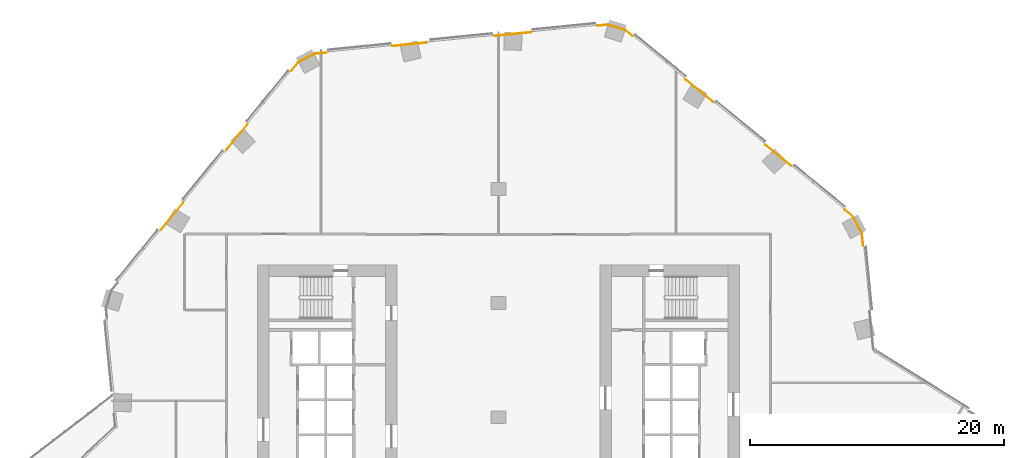
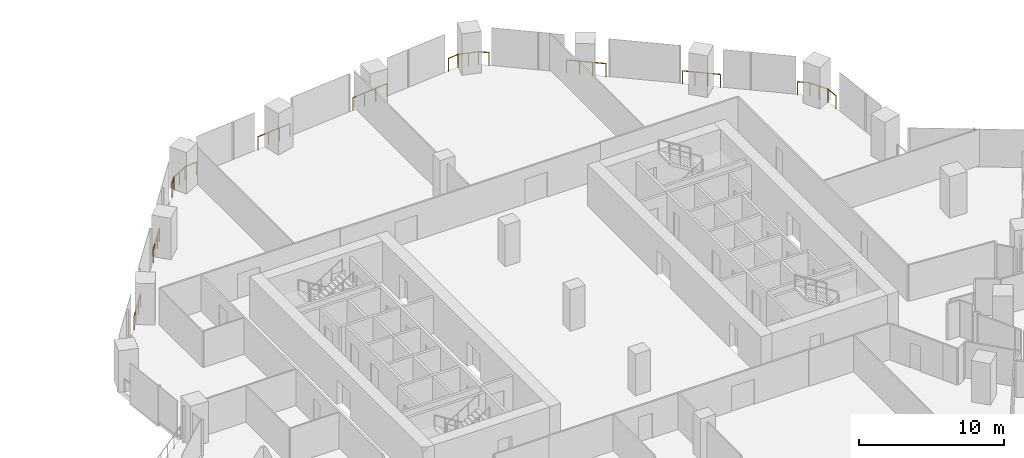
# One storey, part 34 of 34: 9 railings.
"""IFC4 building model written with IfcOpenShell, lengths in metres."""

import ifcopenshell
import ifcopenshell.guid

model = None  # the IFC model being written
_history = None  # IfcOwnerHistory: only IFC2X3 demands one
_inside = {}  # id of a spatial element -> (the spatial element, [elements in it])
_under = {}  # id of a project, library or spatial element -> (it, [spatial elements below it])
_declared = {}  # id of a project -> (the project, [libraries it declares])
_typed = {}  # id of a type object -> (the type object, [elements of that type])
_made_of = {}  # id of a material, layer set ... -> (it, [elements and type objects made of it])


def new_model(schema):
    """Start an empty IFC model of exactly this schema.

    Asked for "IFC4X3", IfcOpenShell would pick the latest addendum, in which some entities
    have other attributes; the version numbers below select the first issue.
    IFC2X3 requires an IfcOwnerHistory on every rooted entity: one is made here for all.
    """
    global model, _history
    if schema == "IFC4X3":
        model = ifcopenshell.file(schema_version=(4, 3, 0, 0))
    else:
        model = ifcopenshell.file(schema=schema)
    _inside.clear()
    _under.clear()
    _declared.clear()
    _typed.clear()
    _made_of.clear()
    _history = None
    if model.schema == "IFC2X3":
        org = make("IfcOrganization", Name="unknown")
        user = make(
            "IfcPersonAndOrganization",
            ThePerson=make("IfcPerson", FamilyName="unknown"),
            TheOrganization=org,
        )
        app = make(
            "IfcApplication",
            ApplicationDeveloper=org,
            Version="unknown",
            ApplicationFullName="unknown",
            ApplicationIdentifier="unknown",
        )
        _history = make(
            "IfcOwnerHistory",
            OwningUser=user,
            OwningApplication=app,
            ChangeAction="ADDED",
            CreationDate=0,
        )
    return model


def make(cls, **values):
    """One entity of the class cls with the attributes given. An attribute that is None is left unset."""
    return model.create_entity(
        cls, **{name: value for name, value in values.items() if value is not None}
    )


def rooted(cls, **values):
    """An entity with a GlobalId (a new one), such as an element, a storey or a relation."""
    return make(cls, GlobalId=ifcopenshell.guid.new(), OwnerHistory=_history, **values)


def si_unit(unit_type, name, prefix=None):
    """IfcSIUnit, for example si_unit("LENGTHUNIT", "METRE", prefix="MILLI")."""
    return make("IfcSIUnit", UnitType=unit_type, Prefix=prefix, Name=name)


def assignment(units):
    """IfcUnitAssignment: the units of a project."""
    return None if units is None else make("IfcUnitAssignment", Units=units)


def point(xyz):
    """IfcCartesianPoint."""
    return None if xyz is None else make("IfcCartesianPoint", Coordinates=xyz)


def direction(xyz):
    """IfcDirection."""
    return None if xyz is None else make("IfcDirection", DirectionRatios=xyz)


def frame(location, z_axis=None, x_axis=None):
    """IfcAxis2Placement3D, a coordinate frame: its origin and axes. An axis left out is left unset."""
    return make(
        "IfcAxis2Placement3D",
        Location=point(location),
        Axis=direction(z_axis),
        RefDirection=direction(x_axis),
    )


def frame_2d(location, x_axis=None):
    """IfcAxis2Placement2D, a coordinate frame in the plane: its origin and x axis."""
    return make(
        "IfcAxis2Placement2D", Location=point(location), RefDirection=direction(x_axis)
    )


def origin():
    """The frame at (0, 0, 0) with its axes left unset."""
    return frame((0.0, 0.0, 0.0))


def origin_2d():
    """The frame at (0, 0) in the plane with its x axis left unset."""
    return frame_2d((0.0, 0.0))


def place(relative_to, where):
    """IfcLocalPlacement: puts the frame where relative to a parent placement (None: the world)."""
    return make(
        "IfcLocalPlacement", PlacementRelTo=relative_to, RelativePlacement=where
    )


def context(
    kind, dimensions, precision=None, world=None, true_north=None, identifier=None
):
    """IfcGeometricRepresentationContext, for example the 3D "Model" context."""
    return make(
        "IfcGeometricRepresentationContext",
        ContextIdentifier=identifier,
        ContextType=kind,
        CoordinateSpaceDimension=dimensions,
        Precision=precision,
        WorldCoordinateSystem=world,
        TrueNorth=true_north,
    )


def subcontext(parent, identifier, kind, view, scale=None):
    """IfcGeometricRepresentationSubContext, for example "Body" below "Model"."""
    return make(
        "IfcGeometricRepresentationSubContext",
        ContextIdentifier=identifier,
        ContextType=kind,
        ParentContext=parent,
        TargetScale=scale,
        TargetView=view,
    )


def project(units=None, contexts=None):
    """IfcProject with its units and contexts."""
    return rooted(
        "IfcProject",
        Name="project",
        RepresentationContexts=contexts,
        UnitsInContext=assignment(units),
    )


def spatial(cls, under=None, at=None, **own):
    """A site, building, storey or space (cls), placed at a placement, below another one or the project."""
    s = rooted(cls, ObjectPlacement=at, **own)
    if under is not None:
        _under.setdefault(under.id(), (under, []))[1].append(s)
    return s


def profile(cls, at=None, kind="AREA", **sizes):
    """A parametric profile (cls). Its sizes go by their IFC names, for example OverallWidth=200.0."""
    return make(cls, ProfileType=kind, Position=at, **sizes)


def circle(**sizes):
    """IfcCircleProfileDef."""
    return profile("IfcCircleProfileDef", **sizes)


def extrude(swept, where, along, depth):
    """IfcExtrudedAreaSolid: the profile swept, set in the frame where, extruded along a direction by depth."""
    return make(
        "IfcExtrudedAreaSolid",
        SweptArea=swept,
        Position=where,
        ExtrudedDirection=direction(along),
        Depth=depth,
    )


def shape(context_of_items, identifier, shape_type, items):
    """IfcShapeRepresentation: the items that make up one representation, for example the "Body"."""
    return make(
        "IfcShapeRepresentation",
        ContextOfItems=context_of_items,
        RepresentationIdentifier=identifier,
        RepresentationType=shape_type,
        Items=items,
    )


def material(Name=None, Category=None):
    """IfcMaterial."""
    return make("IfcMaterial", Name=Name, Category=Category)


def made_of(thing, what):
    """Note that an element or type object is made of a material, layer set ...; save() writes the relation."""
    if what is not None:
        _made_of.setdefault(what.id(), (what, []))[1].append(thing)
    return thing


def type_object(cls, material=None, **own):
    """A type object (cls), such as IfcWallType, which elements share."""
    return made_of(rooted(cls, **own), material)


def element(
    cls,
    number,
    at=None,
    inside=None,
    cuts=None,
    type_object=None,
    material=None,
    context=None,
    identifier="Body",
    shape_type=None,
    held_by="IfcProductDefinitionShape",
    body=None,
    shapes=None,
    **own,
):
    """One element of the class cls, such as IfcWall. Its Tag is "e" and its number.

    at: its placement. inside: the storey or other place that contains it. cuts: it is an
    opening in that element (IfcRelVoidsElement). A single representation is given by context,
    identifier, shape_type and body (its items); several are given by shapes. held_by: the class
    of the entity that holds the representations. save() writes the other relations.
    """
    e = rooted(cls, Tag="e%d" % number, ObjectPlacement=at, **own)
    if body is not None:
        shapes = [shape(context, identifier, shape_type, body)]
    if shapes is not None:
        e.Representation = make(held_by, Representations=shapes)
    if inside is not None:
        _inside.setdefault(inside.id(), (inside, []))[1].append(e)
    if cuts is not None:
        rooted(
            "IfcRelVoidsElement", RelatingBuildingElement=cuts, RelatedOpeningElement=e
        )
    if type_object is not None:
        _typed.setdefault(type_object.id(), (type_object, []))[1].append(e)
    return made_of(e, material)


def aggregate(whole, parts):
    """IfcRelAggregates: a whole, such as a stair, and the parts it consists of."""
    return rooted("IfcRelAggregates", RelatingObject=whole, RelatedObjects=parts)


def save(model, path):
    """Write the relations noted so far, then the file.

    IfcRelAggregates (storeys below a building ...), IfcRelContainedInSpatialStructure (elements
    in a storey), IfcRelDefinesByType, IfcRelAssociatesMaterial and IfcRelDeclares: one each for
    every whole, place, type object, material and project.
    """
    for whole, parts in _under.values():
        aggregate(whole, parts)
    for where, things in _inside.values():
        rooted(
            "IfcRelContainedInSpatialStructure",
            RelatedElements=things,
            RelatingStructure=where,
        )
    for kind, things in _typed.values():
        rooted("IfcRelDefinesByType", RelatedObjects=things, RelatingType=kind)
    for what, things in _made_of.values():
        rooted("IfcRelAssociatesMaterial", RelatedObjects=things, RelatingMaterial=what)
    for by, libraries in _declared.values():
        rooted("IfcRelDeclares", RelatingContext=by, RelatedDefinitions=libraries)
    model.write(path)


model = new_model("IFC4")

# Units and contexts
model_context = context("Model", 3, precision=1e-05, world=origin(), true_north=direction((0.0, 1.0)))
body_context = subcontext(model_context, "Body", "Model", "MODEL_VIEW")
ifc_project = project(units=[si_unit("LENGTHUNIT", "METRE"), si_unit("AREAUNIT", "SQUARE_METRE"), si_unit("VOLUMEUNIT", "CUBIC_METRE"), si_unit("PLANEANGLEUNIT", "RADIAN"), si_unit("MASSUNIT", "GRAM", prefix="KILO")], contexts=[model_context])

# Site, building, storey
site_placement = place(None, origin())
site = spatial("IfcSite", under=ifc_project, at=site_placement, CompositionType="ELEMENT")
building_placement = place(site_placement, origin())
building = spatial("IfcBuilding", under=site, at=building_placement, Name="Orlundy Tower", CompositionType="ELEMENT")
storey_placement = place(building_placement, frame((0.0, 0.0, 37.300048828125)))
storey = spatial("IfcBuildingStorey", under=building, at=storey_placement, Name="L07", CompositionType="ELEMENT", Elevation=37.300048828125)

# Railings
ifc_material = material(Name="Stainless steel bronze finish", Category="steel")
railing_type = type_object("IfcRailingType", Name="TG1 terrace guard", PredefinedType="GUARDRAIL", material=ifc_material)
railing_1_placement = place(storey_placement, frame((27.298828125, 16.364013671875, 0.0)))
element("IfcRailing", 1, at=railing_1_placement, inside=storey, type_object=railing_type, Name="Guard TG-L07-E02", PredefinedType="GUARDRAIL", context=body_context, shape_type="SweptSolid", body=[
    extrude(circle(Radius=0.02490234375, at=origin_2d()), frame((0.0, 0.0, 1.09521484375), z_axis=(0.77337421092, -0.633949784986, 0.0), x_axis=(0.633949784986, 0.77337421092, 0.0)), (0.0, 0.0, 1.0), 0.877197265625),
    extrude(circle(Radius=0.02490234375, at=origin_2d()), frame((0.678466796875, -0.55615234375, 1.09521484375), z_axis=(0.471724818132, -0.881745822762, 0.0), x_axis=(0.881745822762, 0.471724818132, 0.0)), (0.0, 0.0, 1.0), 1.4599609375),
    extrude(circle(Radius=0.02490234375, at=origin_2d()), frame((1.3671875, -1.843505859375, 1.09521484375), z_axis=(0.098582392145, -0.995128892134, 0.0), x_axis=(0.995128892134, 0.098582392145, 0.0)), (0.0, 0.0, 1.0), 0.970703125),
    extrude(circle(Radius=0.02001953125, at=origin_2d()), origin(), (0.0, 0.0, 1.0), 1.070068359375),
    extrude(circle(Radius=0.02001953125, at=origin_2d()), frame((0.678466796875, -0.55615234375, 0.0)), (0.0, 0.0, 1.0), 1.070068359375),
    extrude(circle(Radius=0.02001953125, at=origin_2d()), frame((1.02294921875, -1.19970703125, 0.0)), (0.0, 0.0, 1.0), 1.070068359375),
    extrude(circle(Radius=0.02001953125, at=origin_2d()), frame((1.3671875, -1.843505859375, 0.0)), (0.0, 0.0, 1.0), 1.070068359375),
    extrude(circle(Radius=0.02001953125, at=origin_2d()), frame((1.462890625, -2.8095703125, 0.0)), (0.0, 0.0, 1.0), 1.070068359375),
])
railing_2_placement = place(storey_placement, frame((-16.364013671875, 27.298828125, 0.0)))
element("IfcRailing", 2, at=railing_2_placement, inside=storey, type_object=railing_type, Name="Guard TG-L07-E03", PredefinedType="GUARDRAIL", context=body_context, shape_type="SweptSolid", body=[
    extrude(circle(Radius=0.02490234375, at=origin_2d()), frame((0.0, 0.0, 1.09521484375), z_axis=(0.633949784986, 0.77337421092, 0.0), x_axis=(-0.77337421092, 0.633949784986, 0.0)), (0.0, 0.0, 1.0), 0.877197265625),
    extrude(circle(Radius=0.02490234375, at=origin_2d()), frame((0.55615234375, 0.678466796875, 1.09521484375), z_axis=(0.881745822762, 0.471724818132, 0.0), x_axis=(-0.471724818132, 0.881745822762, 0.0)), (0.0, 0.0, 1.0), 1.4599609375),
    extrude(circle(Radius=0.02490234375, at=origin_2d()), frame((1.843505859375, 1.3671875, 1.09521484375), z_axis=(0.995128892134, 0.098582392145, 0.0), x_axis=(-0.098582392145, 0.995128892134, 0.0)), (0.0, 0.0, 1.0), 0.970703125),
    extrude(circle(Radius=0.02001953125, at=origin_2d()), origin(), (0.0, 0.0, 1.0), 1.070068359375),
    extrude(circle(Radius=0.02001953125, at=origin_2d()), frame((0.55615234375, 0.678466796875, 0.0)), (0.0, 0.0, 1.0), 1.070068359375),
    extrude(circle(Radius=0.02001953125, at=origin_2d()), frame((1.19970703125, 1.02294921875, 0.0)), (0.0, 0.0, 1.0), 1.070068359375),
    extrude(circle(Radius=0.02001953125, at=origin_2d()), frame((1.843505859375, 1.3671875, 0.0)), (0.0, 0.0, 1.0), 1.070068359375),
    extrude(circle(Radius=0.02001953125, at=origin_2d()), frame((2.8095703125, 1.462890625, 0.0)), (0.0, 0.0, 1.0), 1.070068359375),
])
railing_3_placement = place(storey_placement, frame((7.78857421875, 30.879638671875, 0.0)))
element("IfcRailing", 3, at=railing_3_placement, inside=storey, type_object=railing_type, Name="Guard TG-L07-E08", PredefinedType="GUARDRAIL", context=body_context, shape_type="SweptSolid", body=[
    extrude(circle(Radius=0.02490234375, at=origin_2d()), frame((0.0, 0.0, 1.09521484375), z_axis=(0.995125294202, 0.098618704306, 0.0), x_axis=(-0.098618704306, 0.995125294202, 0.0)), (0.0, 0.0, 1.0), 0.8193359375),
    extrude(circle(Radius=0.02490234375, at=origin_2d()), frame((0.8154296875, 0.080810546875, 1.09521484375), z_axis=(0.957188801933, -0.289464328467, 0.0), x_axis=(0.289464328467, 0.957188801933, 0.0)), (0.0, 0.0, 1.0), 1.4599609375),
    extrude(circle(Radius=0.02490234375, at=origin_2d()), frame((2.212890625, -0.341796875, 1.09521484375), z_axis=(0.773464761005, -0.633839304148, 0.0), x_axis=(0.633839304148, 0.773464761005, 0.0)), (0.0, 0.0, 1.0), 0.729248046875),
    extrude(circle(Radius=0.02001953125, at=origin_2d()), origin(), (0.0, 0.0, 1.0), 1.070068359375),
    extrude(circle(Radius=0.02001953125, at=origin_2d()), frame((0.8154296875, 0.080810546875, 0.0)), (0.0, 0.0, 1.0), 1.070068359375),
    extrude(circle(Radius=0.02001953125, at=origin_2d()), frame((1.51416015625, -0.13037109375, 0.0)), (0.0, 0.0, 1.0), 1.070068359375),
    extrude(circle(Radius=0.02001953125, at=origin_2d()), frame((2.212890625, -0.341796875, 0.0)), (0.0, 0.0, 1.0), 1.070068359375),
    extrude(circle(Radius=0.02001953125, at=origin_2d()), frame((2.77685546875, -0.803955078125, 0.0)), (0.0, 0.0, 1.0), 1.070068359375),
])
railing_4_placement = place(storey_placement, frame((-0.286376953125, 30.078369140625, 0.0)))
element("IfcRailing", 4, at=railing_4_placement, inside=storey, type_object=railing_type, Name="Guard TG-L07-E011", PredefinedType="GUARDRAIL", context=body_context, shape_type="SweptSolid", body=[
    extrude(circle(Radius=0.02490234375, at=origin_2d()), frame((0.0, 0.0, 1.09521484375), z_axis=(0.995114715922, 0.098725387598, 0.0), x_axis=(-0.098725387598, 0.995114715922, 0.0)), (0.0, 0.0, 1.0), 2.888427734375),
    extrude(circle(Radius=0.02001953125, at=origin_2d()), origin(), (0.0, 0.0, 1.0), 1.070068359375),
    extrude(circle(Radius=0.02001953125, at=origin_2d()), frame((0.9580078125, 0.094970703125, 0.0)), (0.0, 0.0, 1.0), 1.070068359375),
    extrude(circle(Radius=0.02001953125, at=origin_2d()), frame((1.916259765625, 0.190185546875, 0.0)), (0.0, 0.0, 1.0), 1.070068359375),
    extrude(circle(Radius=0.02001953125, at=origin_2d()), frame((2.874267578125, 0.28515625, 0.0)), (0.0, 0.0, 1.0), 1.070068359375),
])
railing_5_placement = place(storey_placement, frame((-26.64111328125, 14.757080078125, 0.0)))
element("IfcRailing", 5, at=railing_5_placement, inside=storey, type_object=railing_type, Name="Guard TG-L07-E014", PredefinedType="GUARDRAIL", context=body_context, shape_type="SweptSolid", body=[
    extrude(circle(Radius=0.02490234375, at=origin_2d()), frame((0.0, 0.0, 1.09521484375), z_axis=(0.633862654625, 0.773445625155, 0.0), x_axis=(-0.773445625155, 0.633862654625, 0.0)), (0.0, 0.0, 1.0), 2.786376953125),
    extrude(circle(Radius=0.02001953125, at=origin_2d()), origin(), (0.0, 0.0, 1.0), 1.070068359375),
    extrude(circle(Radius=0.02001953125, at=origin_2d()), frame((0.588623046875, 0.71826171875, 0.0)), (0.0, 0.0, 1.0), 1.070068359375),
    extrude(circle(Radius=0.02001953125, at=origin_2d()), frame((1.177490234375, 1.436767578125, 0.0)), (0.0, 0.0, 1.0), 1.070068359375),
    extrude(circle(Radius=0.02001953125, at=origin_2d()), frame((1.76611328125, 2.155029296875, 0.0)), (0.0, 0.0, 1.0), 1.070068359375),
])
railing_6_placement = place(storey_placement, frame((14.757080078125, 26.64111328125, 0.0)))
element("IfcRailing", 6, at=railing_6_placement, inside=storey, type_object=railing_type, Name="Guard TG-L07-E015", PredefinedType="GUARDRAIL", context=body_context, shape_type="SweptSolid", body=[
    extrude(circle(Radius=0.02490234375, at=origin_2d()), frame((0.0, 0.0, 1.09521484375), z_axis=(0.773445625155, -0.633862654625, 0.0), x_axis=(0.633862654625, 0.773445625155, 0.0)), (0.0, 0.0, 1.0), 2.786376953125),
    extrude(circle(Radius=0.02001953125, at=origin_2d()), origin(), (0.0, 0.0, 1.0), 1.070068359375),
    extrude(circle(Radius=0.02001953125, at=origin_2d()), frame((0.71826171875, -0.588623046875, 0.0)), (0.0, 0.0, 1.0), 1.070068359375),
    extrude(circle(Radius=0.02001953125, at=origin_2d()), frame((1.436767578125, -1.177490234375, 0.0)), (0.0, 0.0, 1.0), 1.070068359375),
    extrude(circle(Radius=0.02001953125, at=origin_2d()), frame((2.155029296875, -1.76611328125, 0.0)), (0.0, 0.0, 1.0), 1.070068359375),
])
railing_7_placement = place(storey_placement, frame((-8.353515625, 29.27783203125, 0.0)))
element("IfcRailing", 7, at=railing_7_placement, inside=storey, type_object=railing_type, Name="Guard TG-L07-E016", PredefinedType="GUARDRAIL", context=body_context, shape_type="SweptSolid", body=[
    extrude(circle(Radius=0.02490234375, at=origin_2d()), frame((0.0, 0.0, 1.09521484375), z_axis=(0.995110242384, 0.098770468781, 0.0), x_axis=(-0.098770468781, 0.995110242384, 0.0)), (0.0, 0.0, 1.0), 2.736328125),
    extrude(circle(Radius=0.02001953125, at=origin_2d()), origin(), (0.0, 0.0, 1.0), 1.070068359375),
    extrude(circle(Radius=0.02001953125, at=origin_2d()), frame((0.90771484375, 0.090087890625, 0.0)), (0.0, 0.0, 1.0), 1.070068359375),
    extrude(circle(Radius=0.02001953125, at=origin_2d()), frame((1.815185546875, 0.18017578125, 0.0)), (0.0, 0.0, 1.0), 1.070068359375),
    extrude(circle(Radius=0.02001953125, at=origin_2d()), frame((2.722900390625, 0.270263671875, 0.0)), (0.0, 0.0, 1.0), 1.070068359375),
])
railing_8_placement = place(storey_placement, frame((-21.47119140625, 21.066162109375, 0.0)))
element("IfcRailing", 8, at=railing_8_placement, inside=storey, type_object=railing_type, Name="Guard TG-L07-E017", PredefinedType="GUARDRAIL", context=body_context, shape_type="SweptSolid", body=[
    extrude(circle(Radius=0.02490234375, at=origin_2d()), frame((0.0, 0.0, 1.09521484375), z_axis=(0.633836432261, 0.773467114452, 0.0), x_axis=(-0.773467114452, 0.633836432261, 0.0)), (0.0, 0.0, 1.0), 2.641845703125),
    extrude(circle(Radius=0.02001953125, at=origin_2d()), origin(), (0.0, 0.0, 1.0), 1.070068359375),
    extrude(circle(Radius=0.02001953125, at=origin_2d()), frame((0.55810546875, 0.68115234375, 0.0)), (0.0, 0.0, 1.0), 1.070068359375),
    extrude(circle(Radius=0.02001953125, at=origin_2d()), frame((1.116455078125, 1.3623046875, 0.0)), (0.0, 0.0, 1.0), 1.070068359375),
    extrude(circle(Radius=0.02001953125, at=origin_2d()), frame((1.674560546875, 2.04345703125, 0.0)), (0.0, 0.0, 1.0), 1.070068359375),
])
railing_9_placement = place(storey_placement, frame((21.066162109375, 21.47119140625, 0.0)))
element("IfcRailing", 9, at=railing_9_placement, inside=storey, type_object=railing_type, Name="Guard TG-L07-E018", PredefinedType="GUARDRAIL", context=body_context, shape_type="SweptSolid", body=[
    extrude(circle(Radius=0.02490234375, at=origin_2d()), frame((0.0, 0.0, 1.09521484375), z_axis=(0.773467114452, -0.633836432261, 0.0), x_axis=(0.633836432261, 0.773467114452, 0.0)), (0.0, 0.0, 1.0), 2.641845703125),
    extrude(circle(Radius=0.02001953125, at=origin_2d()), origin(), (0.0, 0.0, 1.0), 1.070068359375),
    extrude(circle(Radius=0.02001953125, at=origin_2d()), frame((0.68115234375, -0.55810546875, 0.0)), (0.0, 0.0, 1.0), 1.070068359375),
    extrude(circle(Radius=0.02001953125, at=origin_2d()), frame((1.3623046875, -1.116455078125, 0.0)), (0.0, 0.0, 1.0), 1.070068359375),
    extrude(circle(Radius=0.02001953125, at=origin_2d()), frame((2.04345703125, -1.674560546875, 0.0)), (0.0, 0.0, 1.0), 1.070068359375),
])

save(model, "model.ifc")
